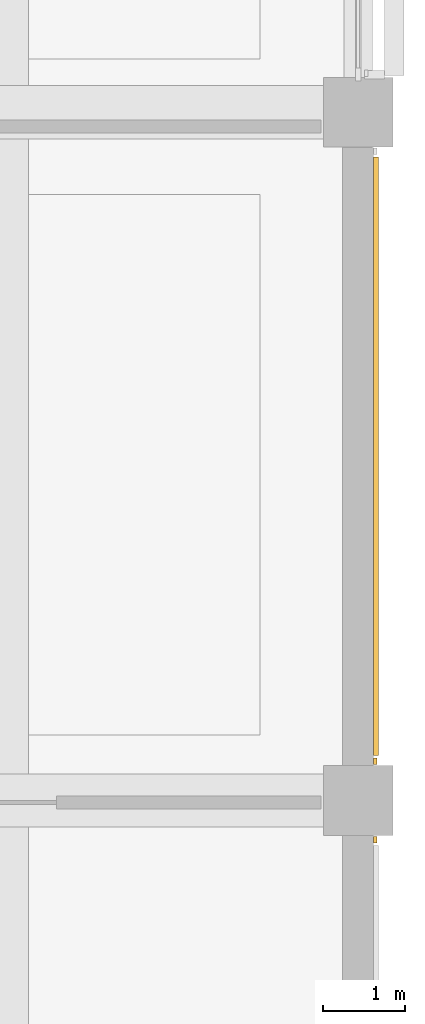
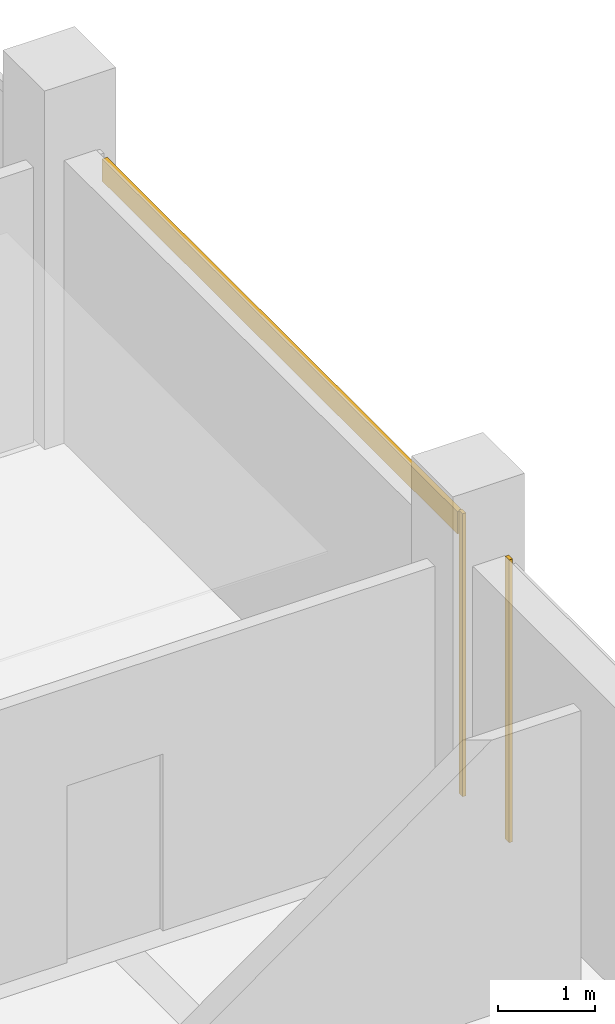
# One storey, part 31 of 36: 3 coverings.
"""IFC4 building model written with IfcOpenShell, lengths in metres."""

from ifc_helpers import new_model, si_unit, direction, frame, origin, origin_2d, place, context, subcontext, project, spatial, rectangle, extrude, material, layer, layer_set, type_object, element, save


model = new_model("IFC4")

# Units and contexts
model_context = context("Model", 3, precision=1e-05, world=origin(), true_north=direction((0.0, 1.0)))
body_context = subcontext(model_context, "Body", "Model", "MODEL_VIEW")
ifc_project = project(units=[si_unit("LENGTHUNIT", "METRE"), si_unit("AREAUNIT", "SQUARE_METRE"), si_unit("VOLUMEUNIT", "CUBIC_METRE"), si_unit("PLANEANGLEUNIT", "RADIAN"), si_unit("MASSUNIT", "GRAM", prefix="KILO")], contexts=[model_context])

# Site, building, storey
site_placement = place(None, origin())
site = spatial("IfcSite", under=ifc_project, at=site_placement, CompositionType="ELEMENT")
building_placement = place(site_placement, origin())
building = spatial("IfcBuilding", under=site, at=building_placement, Name="Telukmera Botanical Conservatory", CompositionType="ELEMENT")
storey_placement = place(building_placement, frame((0.0, 0.0, 24.0)))
storey = spatial("IfcBuildingStorey", under=building, at=storey_placement, Name="L05", CompositionType="ELEMENT", Elevation=24.0)

# Coverings
ifc_material_1 = material(Name="Granite-faced precast concrete C40/50", Category="masonry")
ifc_layer_1 = layer(ifc_material_1, 0.0400390625)
ifc_layer_set_1 = layer_set([ifc_layer_1], Name="Granite-faced precast concrete C40/50")
covering_type_1 = type_object("IfcCoveringType", Name="Granite Precast Column Pier Reveal Casing", PredefinedType="CLADDING", material=ifc_layer_set_1)
for number, where, z_axis, x_axis, name in (
    (1, (109.409912109375, 25.52294921875, 0.0), (0.0, 0.0, 1.0), (0.0, 1.0, 0.0), "Granite Pier Reveal V4:L05:E2 R"),
    (2, (109.409912109375, 26.47705078125, 0.0), (0.0, 0.0, 1.0), (0.0, 1.0, 0.0), "Granite Pier Reveal V4:L05:E3 L"),
):
    element("IfcCovering", number, at=place(storey_placement, frame(where, z_axis=z_axis, x_axis=x_axis)), inside=storey, type_object=covering_type_1, Name=name, PredefinedType="CLADDING", context=body_context, shape_type="SweptSolid", body=[
        extrude(rectangle(XDim=0.080078125, YDim=0.0400390625, at=origin_2d()), origin(), (0.0, 0.0, 1.0), 3.550048828125),
    ])
ifc_material_2 = material(Name="Terracotta-faced precast concrete C40/50", Category="masonry")
ifc_layer_2 = layer(ifc_material_2, 0.06005859375)
ifc_layer_set_2 = layer_set([ifc_layer_2], Name="Terracotta-faced precast concrete C40/50")
covering_type_2 = type_object("IfcCoveringType", Name="Polychrome Terracotta Facade Band Cladding", PredefinedType="CLADDING", material=ifc_layer_set_2)
covering_placement = place(storey_placement, frame((109.419921875, 30.199951171875, 3.22998046875), z_axis=(0.0, 0.0, 1.0), x_axis=(0.0, 1.0, 0.0)))
element("IfcCovering", 3, at=covering_placement, inside=storey, type_object=covering_type_2, Name="Polychrome Terracotta Band V4:L05:E3", PredefinedType="CLADDING", context=body_context, shape_type="SweptSolid", body=[
    extrude(rectangle(XDim=7.305908203125, YDim=0.06005859375, at=origin_2d()), origin(), (0.0, 0.0, 1.0), 0.280029296875),
])

save(model, "model.ifc")
